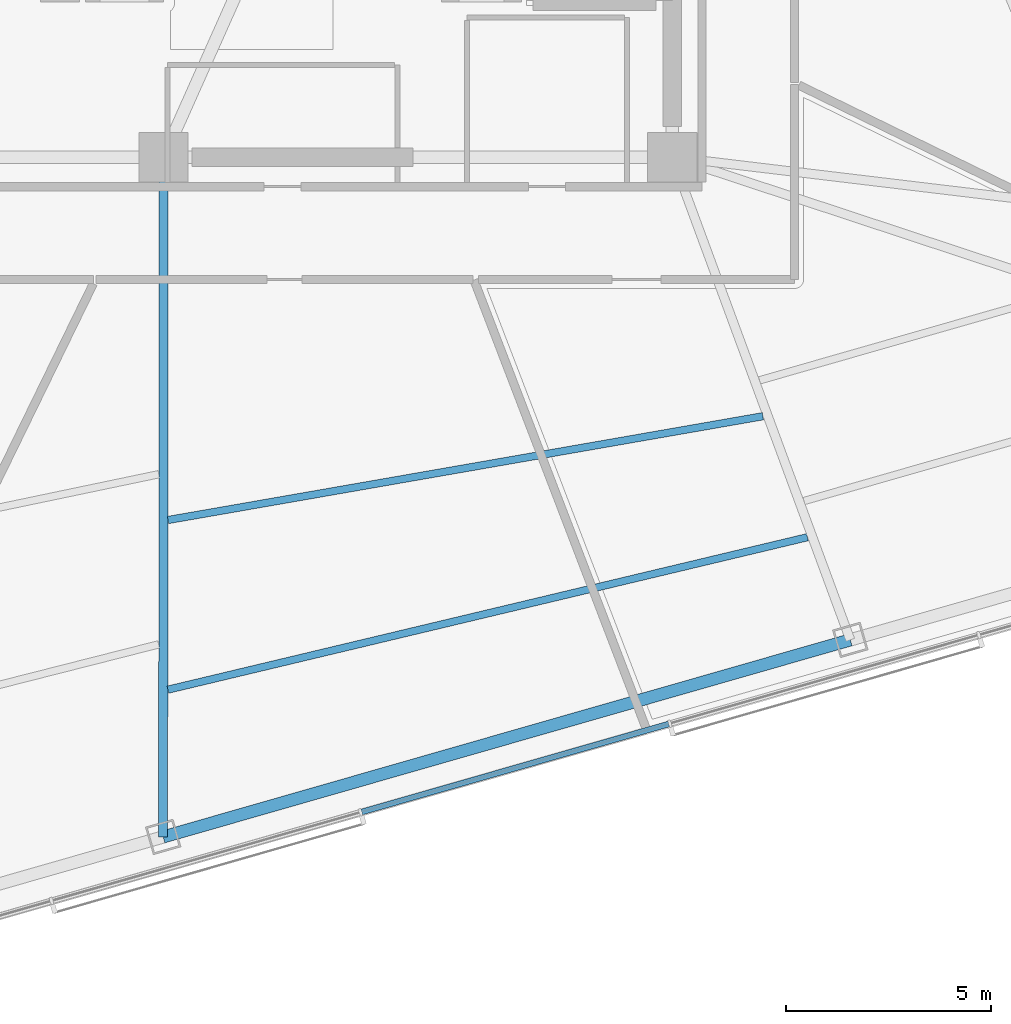
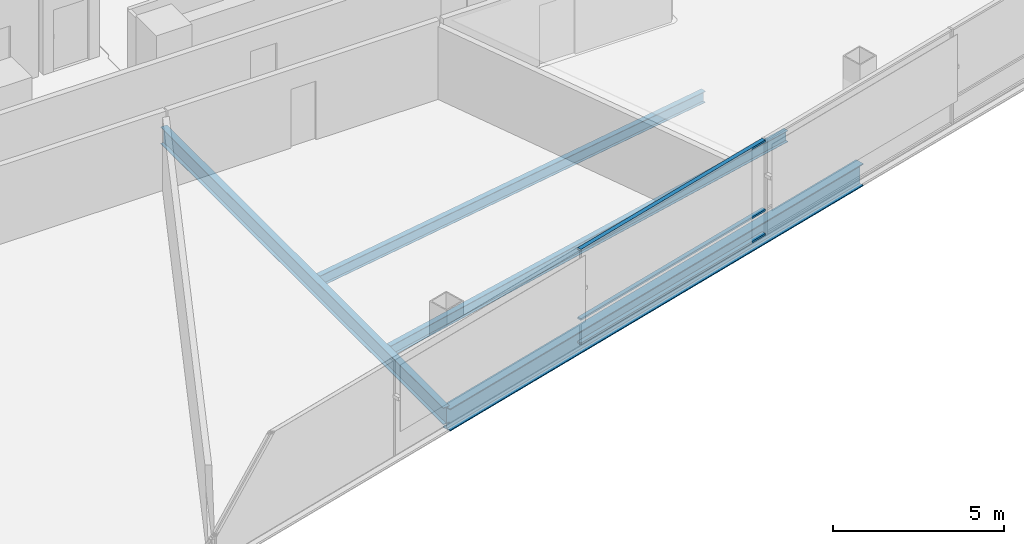
# One storey, part 3 of 17: 4 beams, 3 members, 1 element without a shape of its own.
"""IFC4 building model written with IfcOpenShell, lengths in metres."""

from ifc_helpers import new_model, si_unit, direction, frame, origin, origin_2d, place, context, subcontext, project, spatial, rectangle, i_section, extrude, material, layer, layer_set, material_profile, profile_set, type_object, element, aggregate, save


model = new_model("IFC4")

# Units and contexts
model_context = context("Model", 3, precision=1e-05, world=origin(), true_north=direction((0.0, 1.0)))
body_context = subcontext(model_context, "Body", "Model", "MODEL_VIEW")
ifc_project = project(units=[si_unit("LENGTHUNIT", "METRE"), si_unit("AREAUNIT", "SQUARE_METRE"), si_unit("VOLUMEUNIT", "CUBIC_METRE"), si_unit("PLANEANGLEUNIT", "RADIAN"), si_unit("MASSUNIT", "GRAM", prefix="KILO")], contexts=[model_context])

# Site, building, storey
site_placement = place(None, origin())
site = spatial("IfcSite", under=ifc_project, at=site_placement, CompositionType="ELEMENT")
building_placement = place(site_placement, origin())
building = spatial("IfcBuilding", under=site, at=building_placement, Name="Tharavind Bronze Gate", CompositionType="ELEMENT")
storey_placement = place(building_placement, frame((0.0, 0.0, 93.300048828125)))
storey = spatial("IfcBuildingStorey", under=building, at=storey_placement, Name="L23", CompositionType="ELEMENT", Elevation=93.300048828125)

# Curtain wall, members
ifc_material_1 = material(Name="Anodised Bronze Aluminium", Category="aluminium")
ifc_layer = layer(ifc_material_1, 0.219970703125)
ifc_layer_set = layer_set([ifc_layer], Name="Anodised Bronze Aluminium")
curtain_wall_type = type_object("IfcCurtainWallType", Name="UNITISED CURTAIN WALL LOWER OFFICE", PredefinedType="USERDEFINED", material=ifc_layer_set)
curtain_wall_placement = place(storey_placement, origin())
curtain_wall = element("IfcCurtainWall", 1, at=curtain_wall_placement, inside=storey, type_object=curtain_wall_type, Name="L23 unitised curtain wall lower office CW-L23-S2", ObjectType="UNITISED CURTAIN WALL", PredefinedType="USERDEFINED")
member_type = type_object("IfcMemberType", Name="CURTAIN WALL BRONZE TRANSOM 65X140", PredefinedType="USERDEFINED", material=ifc_material_1)
member_1_placement = place(storey_placement, frame((5.07177734375, -22.487060546875, 0.0), z_axis=(0.0, 0.0, 1.0), x_axis=(0.961261695938, 0.275637355817, 0.0)))
member_1 = element("IfcMember", 2, at=member_1_placement, type_object=member_type, Name="CW-L23-S2 transom TB4", ObjectType="TRANSOM", PredefinedType="USERDEFINED", context=body_context, shape_type="SweptSolid", body=[
    extrude(rectangle(XDim=7.7841796875, YDim=0.139892578125, at=origin_2d()), origin(), (0.0, 0.0, 1.0), 0.06494140625),
])
member_2_placement = place(storey_placement, frame((5.07177734375, -22.487060546875, 0.867431640625), z_axis=(0.0, 0.0, 1.0), x_axis=(0.961261695938, 0.275637355817, 0.0)))
member_2 = element("IfcMember", 3, at=member_2_placement, type_object=member_type, Name="CW-L23-S2 transom TS4", ObjectType="TRANSOM", PredefinedType="USERDEFINED", context=body_context, shape_type="SweptSolid", body=[
    extrude(rectangle(XDim=7.7841796875, YDim=0.139892578125, at=origin_2d()), origin(), (0.0, 0.0, 1.0), 0.06494140625),
])
member_3_placement = place(storey_placement, frame((5.07177734375, -22.487060546875, 3.344970703125), z_axis=(0.0, 0.0, 1.0), x_axis=(0.961261695938, 0.275637355817, 0.0)))
member_3 = element("IfcMember", 4, at=member_3_placement, type_object=member_type, Name="CW-L23-S2 transom TT4", ObjectType="TRANSOM", PredefinedType="USERDEFINED", context=body_context, shape_type="SweptSolid", body=[
    extrude(rectangle(XDim=7.7841796875, YDim=0.139892578125, at=origin_2d()), origin(), (0.0, 0.0, 1.0), 0.06494140625),
])
aggregate(curtain_wall, [member_1, member_2, member_3])

# Beams
ifc_material_2 = material(Name="Steel S355", Category="steel")
ifc_material_profile_1 = material_profile(ifc_material_2, i_section(OverallWidth=0.219970703125, OverallDepth=0.60009765625, WebThickness=0.011962890625, FlangeThickness=0.01904296875, at=origin_2d()), Name="IPE600")
ifc_profile_set_1 = profile_set([ifc_material_profile_1], Name="Steel S355")
beam_type_1 = type_object("IfcBeamType", Name="PRIMARY GIRDER IPE600", PredefinedType="USERDEFINED", material=ifc_profile_set_1)
beam_1_placement = place(storey_placement, frame((-3.5078125, -24.1669921875, -0.489990234375), z_axis=(0.000471572938, 0.999999888809, 0.0), x_axis=(-0.999999888809, 0.000471572938, 0.0)))
element("IfcBeam", 5, at=beam_1_placement, inside=storey, type_object=beam_type_1, Name="L23 primary girder ipe600 BM-L23-RAD06", ObjectType="GIRDER", PredefinedType="USERDEFINED", context=body_context, shape_type="SweptSolid", body=[
    extrude(i_section(OverallWidth=0.219970703125, OverallDepth=0.60009765625, WebThickness=0.011962890625, FlangeThickness=0.01904296875, at=origin_2d()), origin(), (0.0, 0.0, 1.0), 16.56689453125),
])
ifc_material_profile_2 = material_profile(ifc_material_2, i_section(OverallWidth=0.300048828125, OverallDepth=0.800048828125, WebThickness=0.017578125, FlangeThickness=0.032958984375, at=origin_2d()), Name="HE800B")
ifc_profile_set_2 = profile_set([ifc_material_profile_2], Name="Steel S355")
beam_type_2 = type_object("IfcBeamType", Name="RING GIRDER HE800B", PredefinedType="USERDEFINED", material=ifc_profile_set_2)
beam_2_placement = place(storey_placement, frame((-3.5078125, -24.1669921875, -0.590087890625), z_axis=(0.961261198388, 0.275639090974, 0.0), x_axis=(-0.275639090974, 0.961261198388, 0.0)))
element("IfcBeam", 6, at=beam_2_placement, inside=storey, type_object=beam_type_2, Name="L23 ring girder he800b BM-L23-PRG06", ObjectType="GIRDER", PredefinedType="USERDEFINED", context=body_context, shape_type="SweptSolid", body=[
    extrude(i_section(OverallWidth=0.300048828125, OverallDepth=0.800048828125, WebThickness=0.017578125, FlangeThickness=0.032958984375, at=origin_2d()), origin(), (0.0, 0.0, 1.0), 17.42041015625),
])
ifc_material_profile_3 = material_profile(ifc_material_2, i_section(OverallWidth=0.179931640625, OverallDepth=0.39990234375, WebThickness=0.008544921875, FlangeThickness=0.013427734375, at=origin_2d()), Name="IPE400")
ifc_profile_set_3 = profile_set([ifc_material_profile_3], Name="Steel S355")
beam_type_3 = type_object("IfcBeamType", Name="SECONDARY FLOOR JOIST IPE400", PredefinedType="JOIST", material=ifc_profile_set_3)
beam_3_placement = place(storey_placement, frame((-3.390380859375, -16.443603515625, -0.39013671875), z_axis=(0.985119071956, 0.171873250008, 0.0), x_axis=(-0.171873250008, 0.985119071956, 0.0)))
element("IfcBeam", 7, at=beam_3_placement, inside=storey, type_object=beam_type_3, Name="L23 secondary floor joist ipe400 BM-L23-JSTA06", PredefinedType="JOIST", context=body_context, shape_type="SweptSolid", body=[
    extrude(i_section(OverallWidth=0.179931640625, OverallDepth=0.39990234375, WebThickness=0.008544921875, FlangeThickness=0.013427734375, at=origin_2d()), origin(), (0.0, 0.0, 1.0), 14.716064453125),
])
beam_4_placement = place(storey_placement, frame((-3.392333984375, -20.577880859375, -0.39013671875), z_axis=(0.972740944014, 0.231894492903, 0.0), x_axis=(-0.231894492903, 0.972740944014, 0.0)))
element("IfcBeam", 8, at=beam_4_placement, inside=storey, type_object=beam_type_3, Name="L23 secondary floor joist ipe400 BM-L23-JSTB06", PredefinedType="JOIST", context=body_context, shape_type="SweptSolid", body=[
    extrude(i_section(OverallWidth=0.179931640625, OverallDepth=0.39990234375, WebThickness=0.008544921875, FlangeThickness=0.013427734375, at=origin_2d()), origin(), (0.0, 0.0, 1.0), 16.022705078125),
])

save(model, "model.ifc")
